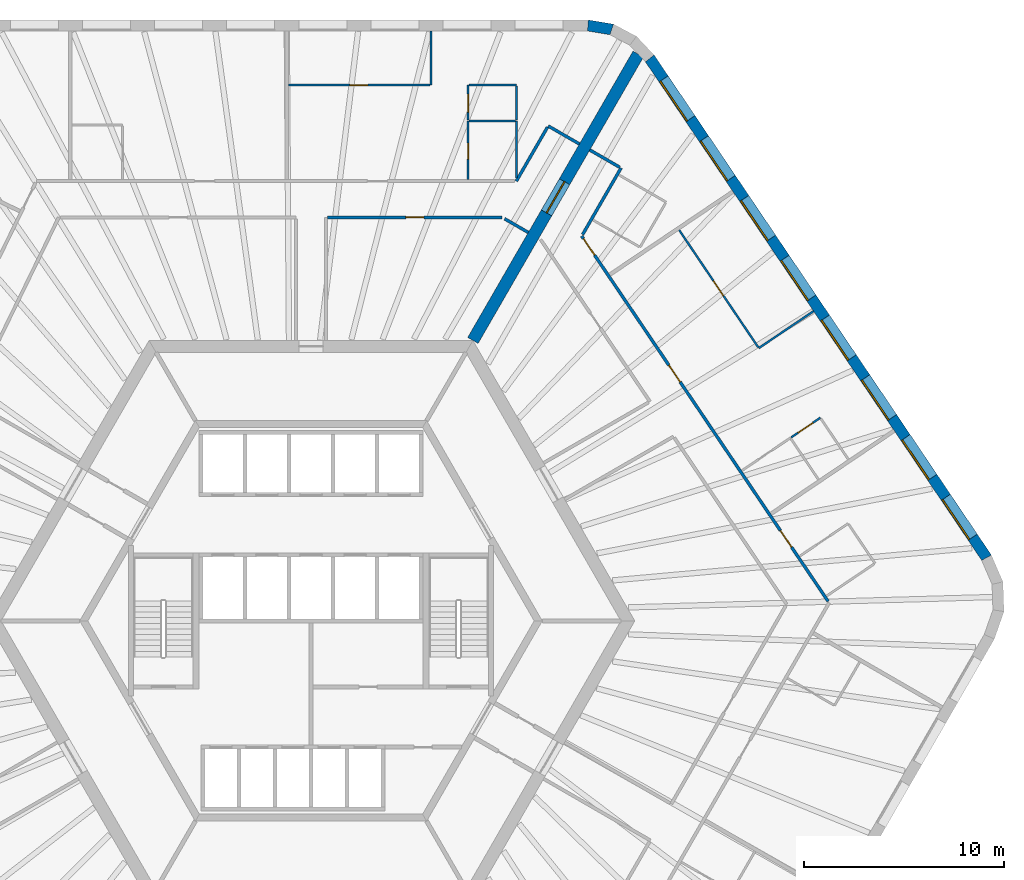
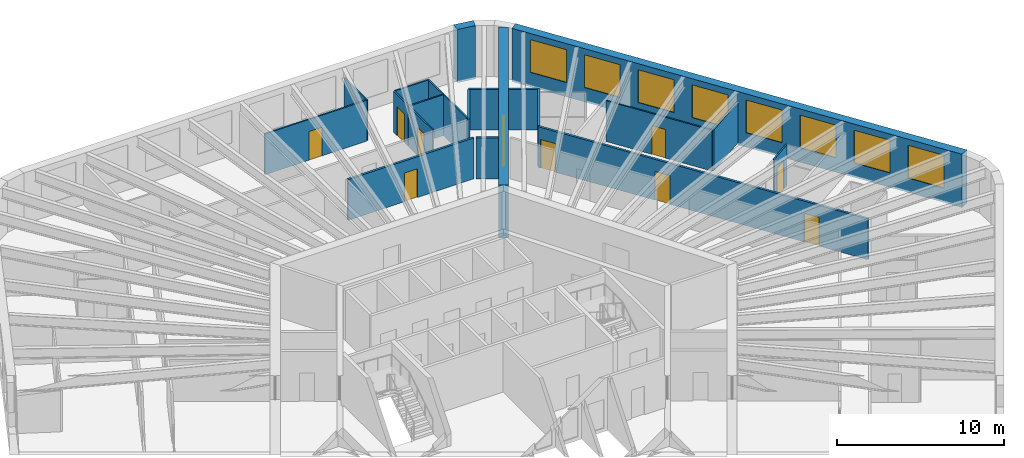
# One storey, part 10 of 12: 21 walls, 10 doors, 8 windows, 18 openings.
"""IFC4 building model written with IfcOpenShell, lengths in metres."""

from ifc_helpers import new_model, si_unit, direction, frame, frame_2d, origin, place, context, subcontext, project, spatial, polyline, rectangle, outline, extrude, material, layer, layer_set, type_object, element, fill, save


model = new_model("IFC4")

# Units and contexts
model_context = context("Model", 3, precision=1e-05, world=origin(), true_north=direction((0.0, 1.0)))
body_context = subcontext(model_context, "Body", "Model", "MODEL_VIEW")
ifc_project = project(units=[si_unit("LENGTHUNIT", "METRE"), si_unit("AREAUNIT", "SQUARE_METRE"), si_unit("VOLUMEUNIT", "CUBIC_METRE"), si_unit("PLANEANGLEUNIT", "RADIAN"), si_unit("MASSUNIT", "GRAM", prefix="KILO")], contexts=[model_context])

# Site, building, storey
site_placement = place(None, origin())
site = spatial("IfcSite", under=ifc_project, at=site_placement, CompositionType="ELEMENT")
building_placement = place(site_placement, origin())
building = spatial("IfcBuilding", under=site, at=building_placement, Name="Tarnside Tower", CompositionType="ELEMENT")
storey_placement = place(building_placement, frame((0.0, 0.0, 72.60009765625)))
storey = spatial("IfcBuildingStorey", under=building, at=storey_placement, Name="L15", CompositionType="ELEMENT", Elevation=72.60009765625)

# Wall, opening, door
ifc_material_1 = material(Name="Gypsum board partition on steel studs", Category="steel")
ifc_layer_1 = layer(ifc_material_1, 0.10009765625)
ifc_layer_set_1 = layer_set([ifc_layer_1], Name="Bathroom wall 100")
wall_type_1 = type_object("IfcWallType", Name="Bathroom wall 100", PredefinedType="PARTITIONING", material=ifc_layer_set_1)
wall_1_placement = place(storey_placement, frame((7.847900390625, 22.02490234375, 0.0), z_axis=(0.0, 0.0, 1.0), x_axis=(0.0, 1.0, 0.0)))
wall_1 = element("IfcWall", 1, at=wall_1_placement, inside=storey, type_object=wall_type_1, Name="Bathroom wall 04076", PredefinedType="PARTITIONING", context=body_context, shape_type="SweptSolid", body=[
    extrude(rectangle(XDim=2.925048828125, YDim=0.10009765625, at=frame_2d((1.46240234375, 0.0))), origin(), (0.0, 0.0, 1.0), 2.98779296875),
])
opening_1_placement = place(wall_1_placement, frame((1.02490234375, 0.0, 0.0)))
opening_1 = element("IfcOpeningElement", 2, at=opening_1_placement, cuts=wall_1, Name="Opening D-B1", PredefinedType="OPENING", context=body_context, shape_type="SweptSolid", body=[
    extrude(rectangle(XDim=0.800048828125, YDim=2.10009765625, at=frame_2d((0.39990234375, 1.050048828125))), frame((0.0, 0.06005859375, 0.0), z_axis=(0.0, -1.0, 0.0), x_axis=(1.0, 0.0, 0.0)), (0.0, 0.0, 1.0), 0.1201171875),
])
ifc_material_2 = material(Name="Timber door leaf", Category="wood")
door_type_1 = type_object("IfcDoorType", Name="Bathroom door 800", OperationType="NOTDEFINED", PredefinedType="DOOR", material=ifc_material_2)
door_1_placement = place(opening_1_placement, origin())
door_1 = element("IfcDoor", 3, at=door_1_placement, inside=storey, type_object=door_type_1, Name="Bathroom door 04002", OperationType="SINGLE_SWING_RIGHT", OverallHeight=2.10009765625, OverallWidth=0.800048828125, PredefinedType="DOOR", context=body_context, shape_type="SweptSolid", body=[
    extrude(rectangle(XDim=0.800048828125, YDim=2.10009765625, at=frame_2d((0.39990234375, 1.050048828125))), frame((0.0, 0.02490234375, 0.0), z_axis=(0.0, -1.0, 0.0), x_axis=(1.0, 0.0, 0.0)), (0.0, 0.0, 1.0), 0.050048828125),
])
fill(opening_1, door_1)

# Walls
wall_2_placement = place(storey_placement, frame((10.248046875, 24.949951171875, 0.0), z_axis=(0.0, 0.0, 1.0), x_axis=(0.0, -1.0, 0.0)))
element("IfcWall", 4, at=wall_2_placement, inside=storey, type_object=wall_type_1, Name="Bathroom wall 04077", PredefinedType="PARTITIONING", context=body_context, shape_type="SweptSolid", body=[
    extrude(rectangle(XDim=2.849853515625, YDim=0.10009765625, at=frame_2d((1.4248046875, 0.0))), origin(), (0.0, 0.0, 1.0), 2.98779296875),
])
wall_3_placement = place(storey_placement, frame((10.197998046875, 24.949951171875, 0.0), z_axis=(0.0, 0.0, 1.0), x_axis=(-1.0, 0.0, 0.0)))
element("IfcWall", 5, at=wall_3_placement, inside=storey, type_object=wall_type_1, Name="Bathroom wall 04084", PredefinedType="PARTITIONING", context=body_context, shape_type="SweptSolid", body=[
    extrude(rectangle(XDim=2.300048828125, YDim=0.10009765625, at=frame_2d((1.14990234375, 0.0))), origin(), (0.0, 0.0, 1.0), 2.98779296875),
])

# Wall, opening, door
ifc_material_3 = material(Name="Concrete C80/95", Category="concrete")
ifc_layer_2 = layer(ifc_material_3, 0.60009765625)
ifc_layer_set_2 = layer_set([ifc_layer_2], Name="Core wall Z1 600 C80/95")
wall_type_2 = type_object("IfcWallType", Name="Core wall Z1 600 C80/95", PredefinedType="SHEAR", material=ifc_layer_set_2)
wall_4_placement = place(storey_placement, frame((8.0830078125, 14.0, -0.150146484375), z_axis=(0.0, 0.0, 1.0), x_axis=(0.499997680643, 0.866026742862, 0.0)))
wall_4 = element("IfcWall", 6, at=wall_4_placement, inside=storey, type_object=wall_type_2, Name="L15 spine wall 1", PredefinedType="SHEAR", context=body_context, shape_type="SweptSolid", body=[
    extrude(rectangle(XDim=16.5087890625, YDim=0.60009765625, at=frame_2d((8.25439453125, 0.0))), origin(), (0.0, 0.0, 1.0), 3.900146484375),
])
opening_2_placement = place(wall_4_placement, frame((7.3544921875, 0.0, 0.14990234375)))
opening_2 = element("IfcOpeningElement", 7, at=opening_2_placement, cuts=wall_4, Name="Opening CD-SPN", PredefinedType="OPENING", context=body_context, shape_type="SweptSolid", body=[
    extrude(rectangle(XDim=1.800048828125, YDim=2.39990234375, at=frame_2d((0.89990234375, 1.199951171875))), frame((0.0, 0.31005859375, 0.0), z_axis=(0.0, -1.0, 0.0), x_axis=(1.0, 0.0, 0.0)), (0.0, 0.0, 1.0), 0.6201171875),
])
ifc_material_4 = material(Name="Steel fire door", Category="steel")
door_type_2 = type_object("IfcDoorType", Name="Spine passage double door FD60 1800x2400", OperationType="NOTDEFINED", PredefinedType="DOOR", material=ifc_material_4)
door_2_placement = place(opening_2_placement, origin())
door_2 = element("IfcDoor", 8, at=door_2_placement, inside=storey, type_object=door_type_2, Name="L15 spine passage door 1", OperationType="DOUBLE_DOOR_SINGLE_SWING", OverallHeight=2.39990234375, OverallWidth=1.800048828125, PredefinedType="DOOR", context=body_context, shape_type="SweptSolid", body=[
    extrude(rectangle(XDim=1.800048828125, YDim=2.39990234375, at=frame_2d((0.89990234375, 1.199951171875))), frame((0.0, 0.02490234375, 0.0), z_axis=(0.0, -1.0, 0.0), x_axis=(1.0, 0.0, 0.0)), (0.0, 0.0, 1.0), 0.050048828125),
])
fill(opening_2, door_2)

# Walls
ifc_layer_3 = layer(ifc_material_1, 0.14990234375)
ifc_layer_set_3 = layer_set([ifc_layer_3], Name="Corridor wall 150 EI 60")
wall_type_3 = type_object("IfcWallType", Name="Corridor wall 150 EI 60", PredefinedType="PARTITIONING", material=ifc_layer_set_3)
wall_5_placement = place(storey_placement, frame((13.400390625, 23.81005859375, 0.0), z_axis=(0.0, 0.0, 1.0), x_axis=(-0.865989075817, 0.500062916607, 0.0)))
element("IfcWall", 9, at=wall_5_placement, inside=storey, type_object=wall_type_3, Name="Corridor wall 04002", PredefinedType="PARTITIONING", context=body_context, shape_type="SweptSolid", body=[
    extrude(rectangle(XDim=1.800048828125, YDim=0.14990234375, at=frame_2d((0.89990234375, 0.0))), origin(), (0.0, 0.0, 1.0), 2.98779296875),
])
wall_6_placement = place(storey_placement, frame((11.803955078125, 24.64501953125, 0.0), z_axis=(0.0, 0.0, 1.0), x_axis=(-0.499978251519, -0.866037959912, 0.0)))
element("IfcWall", 10, at=wall_6_placement, inside=storey, type_object=wall_type_3, Name="Corridor wall 04003", PredefinedType="PARTITIONING", context=body_context, shape_type="SweptSolid", body=[
    extrude(rectangle(XDim=3.112060546875, YDim=0.14990234375, at=frame_2d((1.55615234375, 0.0))), origin(), (0.0, 0.0, 1.0), 2.98779296875),
])

# Wall, opening, door
wall_7_placement = place(storey_placement, frame((0.824951171875, 20.14990234375, 0.0), z_axis=(0.0, 0.0, 1.0), x_axis=(1.0, 0.0, 0.0)))
wall_7 = element("IfcWall", 11, at=wall_7_placement, inside=storey, type_object=wall_type_3, Name="Corridor wall 04021", PredefinedType="PARTITIONING", context=body_context, shape_type="SweptSolid", body=[
    extrude(rectangle(XDim=8.712158203125, YDim=0.14990234375, at=frame_2d((4.35595703125, 0.0))), origin(), (0.0, 0.0, 1.0), 2.98779296875),
])
opening_3_placement = place(wall_7_placement, frame((3.906005859375, 0.0, 0.0)))
opening_3 = element("IfcOpeningElement", 12, at=opening_3_placement, cuts=wall_7, Name="Opening D-S1", PredefinedType="OPENING", context=body_context, shape_type="SweptSolid", body=[
    extrude(rectangle(XDim=0.89990234375, YDim=2.10009765625, at=frame_2d((0.449951171875, 1.050048828125))), frame((0.0, 0.0849609375, 0.0), z_axis=(0.0, -1.0, 0.0), x_axis=(1.0, 0.0, 0.0)), (0.0, 0.0, 1.0), 0.169921875),
])
door_type_3 = type_object("IfcDoorType", Name="Service room door 900 FD30S", OperationType="NOTDEFINED", PredefinedType="DOOR", material=ifc_material_2)
door_3_placement = place(opening_3_placement, origin())
door_3 = element("IfcDoor", 13, at=door_3_placement, inside=storey, type_object=door_type_3, Name="Service door 04042", OperationType="SINGLE_SWING_RIGHT", OverallHeight=2.10009765625, OverallWidth=0.89990234375, PredefinedType="DOOR", context=body_context, shape_type="SweptSolid", body=[
    extrude(rectangle(XDim=0.89990234375, YDim=2.10009765625, at=frame_2d((0.449951171875, 1.050048828125))), frame((0.0, 0.02490234375, 0.0), z_axis=(0.0, -1.0, 0.0), x_axis=(1.0, 0.0, 0.0)), (0.0, 0.0, 1.0), 0.050048828125),
])
fill(opening_3, door_3)

# Wall
wall_8_placement = place(storey_placement, frame((9.6669921875, 20.074951171875, 0.0), z_axis=(0.0, 0.0, 1.0), x_axis=(0.866000994684, -0.500042275419, 0.0)))
element("IfcWall", 14, at=wall_8_placement, inside=storey, type_object=wall_type_3, Name="Corridor wall 04022", PredefinedType="PARTITIONING", context=body_context, shape_type="SweptSolid", body=[
    extrude(rectangle(XDim=1.36572265625, YDim=0.14990234375, at=frame_2d((0.682861328125, 0.0))), origin(), (0.0, 0.0, 1.0), 2.98779296875),
])

# Wall, openings, doors
wall_9_placement = place(storey_placement, frame((25.820556640625, 0.972412109375, 0.0), z_axis=(0.0, 0.0, 1.0), x_axis=(-0.559193816298, 0.829036956845, 0.0)))
wall_9 = element("IfcWall", 15, at=wall_9_placement, inside=storey, type_object=wall_type_3, Name="Corridor wall 04056", PredefinedType="PARTITIONING", context=body_context, shape_type="SweptSolid", body=[
    extrude(rectangle(XDim=22.001708984375, YDim=0.14990234375, at=frame_2d((11.0009765625, 0.0))), origin(), (0.0, 0.0, 1.0), 2.98779296875),
])
opening_4_placement = place(wall_9_placement, frame((3.26904296875, 0.0, 0.0)))
opening_4 = element("IfcOpeningElement", 16, at=opening_4_placement, cuts=wall_9, Name="Opening D-E1", PredefinedType="OPENING", context=body_context, shape_type="SweptSolid", body=[
    extrude(rectangle(XDim=1.0, YDim=2.10009765625, at=frame_2d((0.5, 1.050048828125))), frame((0.0, 0.0849609375, 0.0), z_axis=(0.0, -1.0, 0.0), x_axis=(1.0, 0.0, 0.0)), (0.0, 0.0, 1.0), 0.169921875),
])
opening_5_placement = place(wall_9_placement, frame((13.221435546875, 0.0, 0.0)))
opening_5 = element("IfcOpeningElement", 17, at=opening_5_placement, cuts=wall_9, Name="Opening D-E1", PredefinedType="OPENING", context=body_context, shape_type="SweptSolid", body=[
    extrude(rectangle(XDim=1.0, YDim=2.10009765625, at=frame_2d((0.5, 1.050048828125))), frame((0.0, 0.0849609375, 0.0), z_axis=(0.0, -1.0, 0.0), x_axis=(1.0, 0.0, 0.0)), (0.0, 0.0, 1.0), 0.169921875),
])
opening_6_placement = place(wall_9_placement, frame((20.851806640625, 0.0, 0.0)))
opening_6 = element("IfcOpeningElement", 18, at=opening_6_placement, cuts=wall_9, Name="Opening D-E1", PredefinedType="OPENING", context=body_context, shape_type="SweptSolid", body=[
    extrude(rectangle(XDim=1.0, YDim=2.10009765625, at=frame_2d((0.5, 1.050048828125))), frame((0.0, 0.0849609375, 0.0), z_axis=(0.0, -1.0, 0.0), x_axis=(1.0, 0.0, 0.0)), (0.0, 0.0, 1.0), 0.169921875),
])
door_type_4 = type_object("IfcDoorType", Name="Unit entrance door 1000 FD30S", OperationType="NOTDEFINED", PredefinedType="DOOR", material=ifc_material_2)
door_4_placement = place(opening_4_placement, origin())
door_4 = element("IfcDoor", 19, at=door_4_placement, inside=storey, type_object=door_type_4, Name="Unit door 04033", OperationType="SINGLE_SWING_LEFT", OverallHeight=2.10009765625, OverallWidth=1.0, PredefinedType="DOOR", context=body_context, shape_type="SweptSolid", body=[
    extrude(rectangle(XDim=1.0, YDim=2.10009765625, at=frame_2d((0.5, 1.050048828125))), frame((0.0, 0.02490234375, 0.0), z_axis=(0.0, -1.0, 0.0), x_axis=(1.0, 0.0, 0.0)), (0.0, 0.0, 1.0), 0.050048828125),
])
fill(opening_4, door_4)
door_5_placement = place(opening_5_placement, origin())
door_5 = element("IfcDoor", 20, at=door_5_placement, inside=storey, type_object=door_type_4, Name="Unit door 04035", OperationType="SINGLE_SWING_LEFT", OverallHeight=2.10009765625, OverallWidth=1.0, PredefinedType="DOOR", context=body_context, shape_type="SweptSolid", body=[
    extrude(rectangle(XDim=1.0, YDim=2.10009765625, at=frame_2d((0.5, 1.050048828125))), frame((0.0, 0.02490234375, 0.0), z_axis=(0.0, -1.0, 0.0), x_axis=(1.0, 0.0, 0.0)), (0.0, 0.0, 1.0), 0.050048828125),
])
fill(opening_5, door_5)
door_6_placement = place(opening_6_placement, origin())
door_6 = element("IfcDoor", 21, at=door_6_placement, inside=storey, type_object=door_type_4, Name="Unit door 04039", OperationType="SINGLE_SWING_LEFT", OverallHeight=2.10009765625, OverallWidth=1.0, PredefinedType="DOOR", context=body_context, shape_type="SweptSolid", body=[
    extrude(rectangle(XDim=1.0, YDim=2.10009765625, at=frame_2d((0.5, 1.050048828125))), frame((0.0, 0.02490234375, 0.0), z_axis=(0.0, -1.0, 0.0), x_axis=(1.0, 0.0, 0.0)), (0.0, 0.0, 1.0), 0.050048828125),
])
fill(opening_6, door_6)

# Walls
wall_10_placement = place(storey_placement, frame((13.55908203125, 19.284912109375, 0.0), z_axis=(0.0, 0.0, 1.0), x_axis=(0.499975646431, 0.866039463868, 0.0)))
element("IfcWall", 22, at=wall_10_placement, inside=storey, type_object=wall_type_3, Name="Corridor wall 04062", PredefinedType="PARTITIONING", context=body_context, shape_type="SweptSolid", body=[
    extrude(rectangle(XDim=3.839599609375, YDim=0.14990234375, at=frame_2d((1.919921875, 0.0))), origin(), (0.0, 0.0, 1.0), 2.98779296875),
])
wall_11_placement = place(storey_placement, frame((15.413818359375, 22.647705078125, 0.0), z_axis=(0.0, 0.0, 1.0), x_axis=(-0.866074815912, 0.499914405916, 0.0)))
element("IfcWall", 23, at=wall_11_placement, inside=storey, type_object=wall_type_3, Name="Corridor wall 04063", PredefinedType="PARTITIONING", context=body_context, shape_type="SweptSolid", body=[
    extrude(rectangle(XDim=1.724853515625, YDim=0.14990234375, at=frame_2d((0.8623046875, 0.0))), origin(), (0.0, 0.0, 1.0), 2.98779296875),
])

# Wall, opening, door
ifc_layer_4 = layer(ifc_material_1, 0.10009765625)
ifc_layer_set_4 = layer_set([ifc_layer_4], Name="Partition 100")
wall_type_4 = type_object("IfcWallType", Name="Partition 100", PredefinedType="PARTITIONING", material=ifc_layer_set_4)
wall_12_placement = place(storey_placement, frame((7.847900390625, 25.0, 0.0), z_axis=(0.0, 0.0, 1.0), x_axis=(0.0, 1.0, 0.0)))
wall_12 = element("IfcWall", 24, at=wall_12_placement, inside=storey, type_object=wall_type_4, Name="Partition wall 04078", PredefinedType="PARTITIONING", context=body_context, shape_type="SweptSolid", body=[
    extrude(rectangle(XDim=1.75, YDim=0.10009765625, at=frame_2d((0.875, 0.0))), origin(), (0.0, 0.0, 1.0), 2.98779296875),
])
opening_7_placement = place(wall_12_placement, frame((0.39990234375, 0.0, 0.0)))
opening_7 = element("IfcOpeningElement", 25, at=opening_7_placement, cuts=wall_12, Name="Opening D-I1", PredefinedType="OPENING", context=body_context, shape_type="SweptSolid", body=[
    extrude(rectangle(XDim=0.89990234375, YDim=2.10009765625, at=frame_2d((0.449951171875, 1.050048828125))), frame((0.0, 0.06005859375, 0.0), z_axis=(0.0, -1.0, 0.0), x_axis=(1.0, 0.0, 0.0)), (0.0, 0.0, 1.0), 0.1201171875),
])
door_type_5 = type_object("IfcDoorType", Name="Internal door 900", OperationType="NOTDEFINED", PredefinedType="DOOR", material=ifc_material_2)
door_7_placement = place(opening_7_placement, origin())
door_7 = element("IfcDoor", 26, at=door_7_placement, inside=storey, type_object=door_type_5, Name="Internal door 04003", OperationType="SINGLE_SWING_RIGHT", OverallHeight=2.10009765625, OverallWidth=0.89990234375, PredefinedType="DOOR", context=body_context, shape_type="SweptSolid", body=[
    extrude(rectangle(XDim=0.89990234375, YDim=2.10009765625, at=frame_2d((0.449951171875, 1.050048828125))), frame((0.0, 0.02490234375, 0.0), z_axis=(0.0, -1.0, 0.0), x_axis=(1.0, 0.0, 0.0)), (0.0, 0.0, 1.0), 0.050048828125),
])
fill(opening_7, door_7)

# Walls
wall_13_placement = place(storey_placement, frame((7.89794921875, 26.75, 0.0), z_axis=(0.0, 0.0, 1.0), x_axis=(1.0, 0.0, 0.0)))
element("IfcWall", 27, at=wall_13_placement, inside=storey, type_object=wall_type_4, Name="Partition wall 04079", PredefinedType="PARTITIONING", context=body_context, shape_type="SweptSolid", body=[
    extrude(rectangle(XDim=2.35009765625, YDim=0.10009765625, at=frame_2d((1.175048828125, 0.0))), origin(), (0.0, 0.0, 1.0), 2.98779296875),
])
wall_14_placement = place(storey_placement, frame((10.248046875, 26.699951171875, 0.0), z_axis=(0.0, 0.0, 1.0), x_axis=(0.0, -1.0, 0.0)))
element("IfcWall", 28, at=wall_14_placement, inside=storey, type_object=wall_type_4, Name="Partition wall 04080", PredefinedType="PARTITIONING", context=body_context, shape_type="SweptSolid", body=[
    extrude(rectangle(XDim=1.699951171875, YDim=0.10009765625, at=frame_2d((0.85009765625, 0.0))), origin(), (0.0, 0.0, 1.0), 2.98779296875),
])
wall_15_placement = place(storey_placement, frame((5.989013671875, 29.449951171875, 0.0), z_axis=(0.0, 0.0, 1.0), x_axis=(0.0, -1.0, 0.0)))
element("IfcWall", 29, at=wall_15_placement, inside=storey, type_object=wall_type_4, Name="Partition wall 04081", PredefinedType="PARTITIONING", context=body_context, shape_type="SweptSolid", body=[
    extrude(rectangle(XDim=2.699951171875, YDim=0.10009765625, at=frame_2d((1.35009765625, 0.0))), origin(), (0.0, 0.0, 1.0), 2.98779296875),
])

# Wall, opening, door
wall_16_placement = place(storey_placement, frame((5.93896484375, 26.75, 0.0), z_axis=(0.0, 0.0, 1.0), x_axis=(-1.0, 0.0, 0.0)))
wall_16 = element("IfcWall", 30, at=wall_16_placement, inside=storey, type_object=wall_type_4, Name="Partition wall 04082", PredefinedType="PARTITIONING", context=body_context, shape_type="SweptSolid", body=[
    extrude(rectangle(XDim=7.06005859375, YDim=0.10009765625, at=frame_2d((3.530029296875, 0.0))), origin(), (0.0, 0.0, 1.0), 2.98779296875),
])
opening_8_placement = place(wall_16_placement, frame((3.10009765625, 0.0, 0.0)))
opening_8 = element("IfcOpeningElement", 31, at=opening_8_placement, cuts=wall_16, Name="Opening D-I1", PredefinedType="OPENING", context=body_context, shape_type="SweptSolid", body=[
    extrude(rectangle(XDim=0.89990234375, YDim=2.10009765625, at=frame_2d((0.449951171875, 1.050048828125))), frame((0.0, 0.06005859375, 0.0), z_axis=(0.0, -1.0, 0.0), x_axis=(1.0, 0.0, 0.0)), (0.0, 0.0, 1.0), 0.1201171875),
])
door_8_placement = place(opening_8_placement, origin())
door_8 = element("IfcDoor", 32, at=door_8_placement, inside=storey, type_object=door_type_5, Name="Internal door 04004", OperationType="SINGLE_SWING_LEFT", OverallHeight=2.10009765625, OverallWidth=0.89990234375, PredefinedType="DOOR", context=body_context, shape_type="SweptSolid", body=[
    extrude(rectangle(XDim=0.89990234375, YDim=2.10009765625, at=frame_2d((0.449951171875, 1.050048828125))), frame((0.0, 0.02490234375, 0.0), z_axis=(0.0, -1.0, 0.0), x_axis=(1.0, 0.0, 0.0)), (0.0, 0.0, 1.0), 0.050048828125),
])
fill(opening_8, door_8)

wall_17_placement = place(storey_placement, frame((23.975341796875, 9.162109375, 0.0), z_axis=(0.0, 0.0, 1.0), x_axis=(0.829011970545, 0.559230858138, 0.0)))
wall_17 = element("IfcWall", 33, at=wall_17_placement, inside=storey, type_object=wall_type_4, Name="Partition wall 04144", PredefinedType="PARTITIONING", context=body_context, shape_type="SweptSolid", body=[
    extrude(rectangle(XDim=1.750244140625, YDim=0.10009765625, at=frame_2d((0.875, 0.0))), origin(), (0.0, 0.0, 1.0), 2.98779296875),
])
opening_9_placement = place(wall_17_placement, frame((0.39990234375, 0.0, 0.0)))
opening_9 = element("IfcOpeningElement", 34, at=opening_9_placement, cuts=wall_17, Name="Opening D-I1", PredefinedType="OPENING", context=body_context, shape_type="SweptSolid", body=[
    extrude(rectangle(XDim=0.89990234375, YDim=2.10009765625, at=frame_2d((0.449951171875, 1.050048828125))), frame((0.0, 0.06005859375, 0.0), z_axis=(0.0, -1.0, 0.0), x_axis=(1.0, 0.0, 0.0)), (0.0, 0.0, 1.0), 0.1201171875),
])
door_9_placement = place(opening_9_placement, origin())
door_9 = element("IfcDoor", 35, at=door_9_placement, inside=storey, type_object=door_type_5, Name="Internal door 04037", OperationType="SINGLE_SWING_LEFT", OverallHeight=2.10009765625, OverallWidth=0.89990234375, PredefinedType="DOOR", context=body_context, shape_type="SweptSolid", body=[
    extrude(rectangle(XDim=0.89990234375, YDim=2.10009765625, at=frame_2d((0.449951171875, 1.050048828125))), frame((0.0, 0.02490234375, 0.0), z_axis=(0.0, -1.0, 0.0), x_axis=(1.0, 0.0, 0.0)), (0.0, 0.0, 1.0), 0.050048828125),
])
fill(opening_9, door_9)

# Wall
wall_18_placement = place(storey_placement, frame((25.09228515625, 15.464111328125, 0.0), z_axis=(0.0, 0.0, 1.0), x_axis=(-0.829033042551, -0.55919961942, 0.0)))
element("IfcWall", 36, at=wall_18_placement, inside=storey, type_object=wall_type_4, Name="Partition wall 04146", PredefinedType="PARTITIONING", context=body_context, shape_type="SweptSolid", body=[
    extrude(rectangle(XDim=3.2998046875, YDim=0.10009765625, at=frame_2d((1.64990234375, 0.0))), origin(), (0.0, 0.0, 1.0), 2.98779296875),
])

# Wall, opening, door
wall_19_placement = place(storey_placement, frame((22.32861328125, 13.660400390625, 0.0), z_axis=(0.0, 0.0, 1.0), x_axis=(-0.559216845309, 0.829021423078, 0.0)))
wall_19 = element("IfcWall", 37, at=wall_19_placement, inside=storey, type_object=wall_type_4, Name="Partition wall 04147", PredefinedType="PARTITIONING", context=body_context, shape_type="SweptSolid", body=[
    extrude(rectangle(XDim=7.059814453125, YDim=0.10009765625, at=frame_2d((3.52978515625, 0.0))), origin(), (0.0, 0.0, 1.0), 2.98779296875),
])
opening_10_placement = place(wall_19_placement, frame((3.10009765625, 0.0, 0.0)))
opening_10 = element("IfcOpeningElement", 38, at=opening_10_placement, cuts=wall_19, Name="Opening D-I1", PredefinedType="OPENING", context=body_context, shape_type="SweptSolid", body=[
    extrude(rectangle(XDim=0.89990234375, YDim=2.10009765625, at=frame_2d((0.449951171875, 1.050048828125))), frame((0.0, 0.06005859375, 0.0), z_axis=(0.0, -1.0, 0.0), x_axis=(1.0, 0.0, 0.0)), (0.0, 0.0, 1.0), 0.1201171875),
])
door_10_placement = place(opening_10_placement, origin())
door_10 = element("IfcDoor", 39, at=door_10_placement, inside=storey, type_object=door_type_5, Name="Internal door 04038", OperationType="SINGLE_SWING_RIGHT", OverallHeight=2.10009765625, OverallWidth=0.89990234375, PredefinedType="DOOR", context=body_context, shape_type="SweptSolid", body=[
    extrude(rectangle(XDim=0.89990234375, YDim=2.10009765625, at=frame_2d((0.449951171875, 1.050048828125))), frame((0.0, 0.02490234375, 0.0), z_axis=(0.0, -1.0, 0.0), x_axis=(1.0, 0.0, 0.0)), (0.0, 0.0, 1.0), 0.050048828125),
])
fill(opening_10, door_10)

# Wall, openings, windows
ifc_material_5 = material(Name="Facing brick", Category="masonry")
ifc_layer_5 = layer(ifc_material_5, 0.10205078125)
ifc_material_6 = material(Name="Concrete C60/75 precast", Category="concrete")
ifc_layer_6 = layer(ifc_material_6, 0.347900390625)
ifc_material_7 = material(Name="Mineral wool insulation")
ifc_layer_7 = layer(ifc_material_7, 0.10009765625)
ifc_layer_set_5 = layer_set([ifc_layer_5, ifc_layer_6, ifc_layer_7], Name="Tube wall 550 brick faced")
wall_type_5 = type_object("IfcWallType", Name="Tube wall 550 brick faced", PredefinedType="SOLIDWALL", material=ifc_layer_set_5)
wall_20_placement = place(storey_placement, frame((33.72802734375, 3.153076171875, -0.150146484375), z_axis=(0.0, 0.0, 1.0), x_axis=(-0.559192411416, 0.82903790445, 0.0)))
wall_20 = element("IfcWall", 40, at=wall_20_placement, inside=storey, type_object=wall_type_5, Name="Tube wall L15 F6 flush 20", PredefinedType="SOLIDWALL", context=body_context, shape_type="SweptSolid", body=[
    extrude(outline(polyline([(-0.025634765625, -0.27490234375), (30.09326171875, -0.27490234375), (30.04833984375, 0.27490234375), (0.025634765625, 0.27490234375), (-0.025634765625, -0.27490234375)])), origin(), (0.0, 0.0, 1.0), 3.900146484375),
])
opening_11_placement = place(wall_20_placement, frame((1.235595703125, 0.0, 1.050048828125)))
opening_11 = element("IfcOpeningElement", 41, at=opening_11_placement, cuts=wall_20, Name="Opening WH", PredefinedType="OPENING", context=body_context, shape_type="SweptSolid", body=[
    extrude(rectangle(XDim=2.39990234375, YDim=2.39990234375, at=frame_2d((1.199951171875, 1.199951171875))), frame((0.0, 0.28515625, 0.0), z_axis=(0.0, -1.0, 0.0), x_axis=(1.0, 0.0, 0.0)), (0.0, 0.0, 1.0), 0.570068359375),
])
opening_12_placement = place(wall_20_placement, frame((4.83544921875, 0.0, 1.050048828125)))
opening_12 = element("IfcOpeningElement", 42, at=opening_12_placement, cuts=wall_20, Name="Opening WH", PredefinedType="OPENING", context=body_context, shape_type="SweptSolid", body=[
    extrude(rectangle(XDim=2.39990234375, YDim=2.39990234375, at=frame_2d((1.199951171875, 1.199951171875))), frame((0.0, 0.28515625, 0.0), z_axis=(0.0, -1.0, 0.0), x_axis=(1.0, 0.0, 0.0)), (0.0, 0.0, 1.0), 0.570068359375),
])
opening_13_placement = place(wall_20_placement, frame((8.435546875, 0.0, 1.050048828125)))
opening_13 = element("IfcOpeningElement", 43, at=opening_13_placement, cuts=wall_20, Name="Opening WH", PredefinedType="OPENING", context=body_context, shape_type="SweptSolid", body=[
    extrude(rectangle(XDim=2.39990234375, YDim=2.39990234375, at=frame_2d((1.199951171875, 1.199951171875))), frame((0.0, 0.28515625, 0.0), z_axis=(0.0, -1.0, 0.0), x_axis=(1.0, 0.0, 0.0)), (0.0, 0.0, 1.0), 0.570068359375),
])
opening_14_placement = place(wall_20_placement, frame((12.035400390625, 0.0, 1.050048828125)))
opening_14 = element("IfcOpeningElement", 44, at=opening_14_placement, cuts=wall_20, Name="Opening WH", PredefinedType="OPENING", context=body_context, shape_type="SweptSolid", body=[
    extrude(rectangle(XDim=2.39990234375, YDim=2.39990234375, at=frame_2d((1.199951171875, 1.199951171875))), frame((0.0, 0.28515625, 0.0), z_axis=(0.0, -1.0, 0.0), x_axis=(1.0, 0.0, 0.0)), (0.0, 0.0, 1.0), 0.570068359375),
])
opening_15_placement = place(wall_20_placement, frame((15.635498046875, 0.0, 1.050048828125)))
opening_15 = element("IfcOpeningElement", 45, at=opening_15_placement, cuts=wall_20, Name="Opening WH", PredefinedType="OPENING", context=body_context, shape_type="SweptSolid", body=[
    extrude(rectangle(XDim=2.39990234375, YDim=2.39990234375, at=frame_2d((1.199951171875, 1.199951171875))), frame((0.0, 0.28515625, 0.0), z_axis=(0.0, -1.0, 0.0), x_axis=(1.0, 0.0, 0.0)), (0.0, 0.0, 1.0), 0.570068359375),
])
opening_16_placement = place(wall_20_placement, frame((19.235595703125, 0.0, 1.050048828125)))
opening_16 = element("IfcOpeningElement", 46, at=opening_16_placement, cuts=wall_20, Name="Opening WH", PredefinedType="OPENING", context=body_context, shape_type="SweptSolid", body=[
    extrude(rectangle(XDim=2.39990234375, YDim=2.39990234375, at=frame_2d((1.199951171875, 1.199951171875))), frame((0.0, 0.28515625, 0.0), z_axis=(0.0, -1.0, 0.0), x_axis=(1.0, 0.0, 0.0)), (0.0, 0.0, 1.0), 0.570068359375),
])
opening_17_placement = place(wall_20_placement, frame((22.83544921875, 0.0, 1.050048828125)))
opening_17 = element("IfcOpeningElement", 47, at=opening_17_placement, cuts=wall_20, Name="Opening WH", PredefinedType="OPENING", context=body_context, shape_type="SweptSolid", body=[
    extrude(rectangle(XDim=2.39990234375, YDim=2.39990234375, at=frame_2d((1.199951171875, 1.199951171875))), frame((0.0, 0.28515625, 0.0), z_axis=(0.0, -1.0, 0.0), x_axis=(1.0, 0.0, 0.0)), (0.0, 0.0, 1.0), 0.570068359375),
])
opening_18_placement = place(wall_20_placement, frame((26.435546875, 0.0, 1.050048828125)))
opening_18 = element("IfcOpeningElement", 48, at=opening_18_placement, cuts=wall_20, Name="Opening WH", PredefinedType="OPENING", context=body_context, shape_type="SweptSolid", body=[
    extrude(rectangle(XDim=2.39990234375, YDim=2.39990234375, at=frame_2d((1.199951171875, 1.199951171875))), frame((0.0, 0.28515625, 0.0), z_axis=(0.0, -1.0, 0.0), x_axis=(1.0, 0.0, 0.0)), (0.0, 0.0, 1.0), 0.570068359375),
])
ifc_material_8 = material(Name="Aluminium-framed double glazing", Category="aluminium")
window_type = type_object("IfcWindowType", Name="Hotel window 2400 x 2400", PartitioningType="DOUBLE_PANEL_VERTICAL", PredefinedType="WINDOW", material=ifc_material_8)
window_1_placement = place(opening_11_placement, frame((0.0, 0.205078125, 0.0)))
window_1 = element("IfcWindow", 49, at=window_1_placement, inside=storey, type_object=window_type, Name="E.WN.L15.F6.00", OverallHeight=2.39990234375, OverallWidth=2.39990234375, PartitioningType="DOUBLE_PANEL_VERTICAL", PredefinedType="WINDOW", context=body_context, shape_type="SweptSolid", body=[
    extrude(rectangle(XDim=2.39990234375, YDim=2.39990234375, at=frame_2d((1.199951171875, 1.199951171875))), frame((0.0, 0.030029296875, 0.0), z_axis=(0.0, -1.0, 0.0), x_axis=(1.0, 0.0, 0.0)), (0.0, 0.0, 1.0), 0.06005859375),
])
fill(opening_11, window_1)
window_2_placement = place(opening_12_placement, frame((0.0, 0.205078125, 0.0)))
window_2 = element("IfcWindow", 50, at=window_2_placement, inside=storey, type_object=window_type, Name="E.WN.L15.F6.01", OverallHeight=2.39990234375, OverallWidth=2.39990234375, PartitioningType="DOUBLE_PANEL_VERTICAL", PredefinedType="WINDOW", context=body_context, shape_type="SweptSolid", body=[
    extrude(rectangle(XDim=2.39990234375, YDim=2.39990234375, at=frame_2d((1.199951171875, 1.199951171875))), frame((0.0, 0.030029296875, 0.0), z_axis=(0.0, -1.0, 0.0), x_axis=(1.0, 0.0, 0.0)), (0.0, 0.0, 1.0), 0.06005859375),
])
fill(opening_12, window_2)
window_3_placement = place(opening_13_placement, frame((0.0, 0.205078125, 0.0)))
window_3 = element("IfcWindow", 51, at=window_3_placement, inside=storey, type_object=window_type, Name="E.WN.L15.F6.02", OverallHeight=2.39990234375, OverallWidth=2.39990234375, PartitioningType="DOUBLE_PANEL_VERTICAL", PredefinedType="WINDOW", context=body_context, shape_type="SweptSolid", body=[
    extrude(rectangle(XDim=2.39990234375, YDim=2.39990234375, at=frame_2d((1.199951171875, 1.199951171875))), frame((0.0, 0.030029296875, 0.0), z_axis=(0.0, -1.0, 0.0), x_axis=(1.0, 0.0, 0.0)), (0.0, 0.0, 1.0), 0.06005859375),
])
fill(opening_13, window_3)
window_4_placement = place(opening_14_placement, frame((0.0, 0.205078125, 0.0)))
window_4 = element("IfcWindow", 52, at=window_4_placement, inside=storey, type_object=window_type, Name="E.WN.L15.F6.03", OverallHeight=2.39990234375, OverallWidth=2.39990234375, PartitioningType="DOUBLE_PANEL_VERTICAL", PredefinedType="WINDOW", context=body_context, shape_type="SweptSolid", body=[
    extrude(rectangle(XDim=2.39990234375, YDim=2.39990234375, at=frame_2d((1.199951171875, 1.199951171875))), frame((0.0, 0.030029296875, 0.0), z_axis=(0.0, -1.0, 0.0), x_axis=(1.0, 0.0, 0.0)), (0.0, 0.0, 1.0), 0.06005859375),
])
fill(opening_14, window_4)
window_5_placement = place(opening_15_placement, frame((0.0, 0.205078125, 0.0)))
window_5 = element("IfcWindow", 53, at=window_5_placement, inside=storey, type_object=window_type, Name="E.WN.L15.F6.04", OverallHeight=2.39990234375, OverallWidth=2.39990234375, PartitioningType="DOUBLE_PANEL_VERTICAL", PredefinedType="WINDOW", context=body_context, shape_type="SweptSolid", body=[
    extrude(rectangle(XDim=2.39990234375, YDim=2.39990234375, at=frame_2d((1.199951171875, 1.199951171875))), frame((0.0, 0.030029296875, 0.0), z_axis=(0.0, -1.0, 0.0), x_axis=(1.0, 0.0, 0.0)), (0.0, 0.0, 1.0), 0.06005859375),
])
fill(opening_15, window_5)
window_6_placement = place(opening_16_placement, frame((0.0, 0.205078125, 0.0)))
window_6 = element("IfcWindow", 54, at=window_6_placement, inside=storey, type_object=window_type, Name="E.WN.L15.F6.05", OverallHeight=2.39990234375, OverallWidth=2.39990234375, PartitioningType="DOUBLE_PANEL_VERTICAL", PredefinedType="WINDOW", context=body_context, shape_type="SweptSolid", body=[
    extrude(rectangle(XDim=2.39990234375, YDim=2.39990234375, at=frame_2d((1.199951171875, 1.199951171875))), frame((0.0, 0.030029296875, 0.0), z_axis=(0.0, -1.0, 0.0), x_axis=(1.0, 0.0, 0.0)), (0.0, 0.0, 1.0), 0.06005859375),
])
fill(opening_16, window_6)
window_7_placement = place(opening_17_placement, frame((0.0, 0.205078125, 0.0)))
window_7 = element("IfcWindow", 55, at=window_7_placement, inside=storey, type_object=window_type, Name="E.WN.L15.F6.06", OverallHeight=2.39990234375, OverallWidth=2.39990234375, PartitioningType="DOUBLE_PANEL_VERTICAL", PredefinedType="WINDOW", context=body_context, shape_type="SweptSolid", body=[
    extrude(rectangle(XDim=2.39990234375, YDim=2.39990234375, at=frame_2d((1.199951171875, 1.199951171875))), frame((0.0, 0.030029296875, 0.0), z_axis=(0.0, -1.0, 0.0), x_axis=(1.0, 0.0, 0.0)), (0.0, 0.0, 1.0), 0.06005859375),
])
fill(opening_17, window_7)
window_8_placement = place(opening_18_placement, frame((0.0, 0.205078125, 0.0)))
window_8 = element("IfcWindow", 56, at=window_8_placement, inside=storey, type_object=window_type, Name="E.WN.L15.F6.07", OverallHeight=2.39990234375, OverallWidth=2.39990234375, PartitioningType="DOUBLE_PANEL_VERTICAL", PredefinedType="WINDOW", context=body_context, shape_type="SweptSolid", body=[
    extrude(rectangle(XDim=2.39990234375, YDim=2.39990234375, at=frame_2d((1.199951171875, 1.199951171875))), frame((0.0, 0.030029296875, 0.0), z_axis=(0.0, -1.0, 0.0), x_axis=(1.0, 0.0, 0.0)), (0.0, 0.0, 1.0), 0.06005859375),
])
fill(opening_18, window_8)

# Wall
wall_21_placement = place(storey_placement, frame((15.0166015625, 29.529052734375, -0.150146484375), z_axis=(0.0, 0.0, 1.0), x_axis=(-0.986746625868, 0.162268593195, 0.0)))
element("IfcWall", 57, at=wall_21_placement, inside=storey, type_object=wall_type_5, Name="Tube wall L15 F6 chord 23", PredefinedType="SOLIDWALL", context=body_context, shape_type="SweptSolid", body=[
    extrude(outline(polyline([(-0.045166015625, -0.27490234375), (1.230712890625, -0.27490234375), (1.185791015625, 0.27490234375), (0.045166015625, 0.27490234375), (-0.045166015625, -0.27490234375)])), origin(), (0.0, 0.0, 1.0), 3.900146484375),
])

save(model, "model.ifc")
